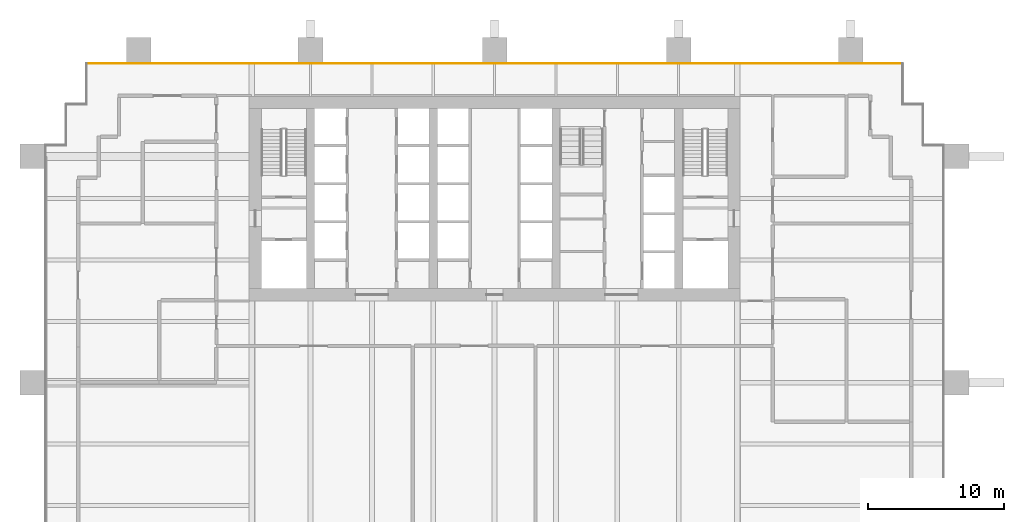
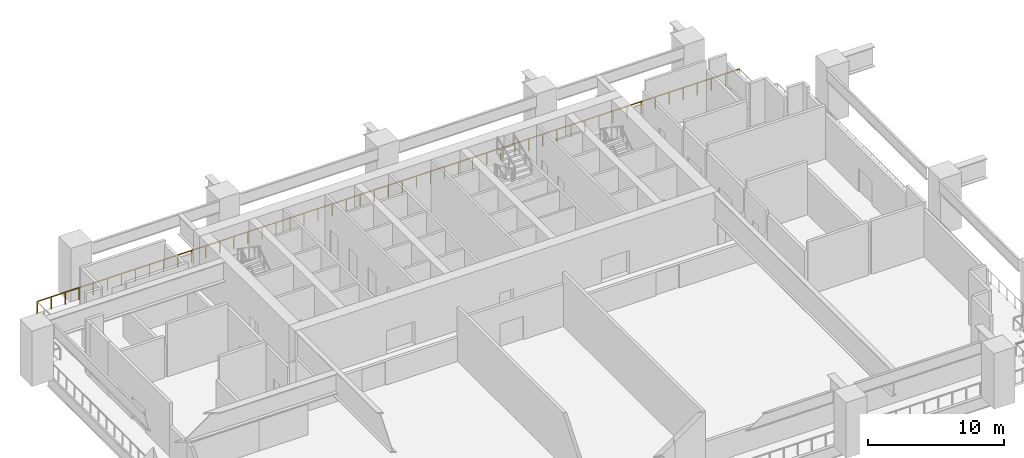
# One storey, part 9 of 11: 1 railing.
"""IFC4 building model written with IfcOpenShell, lengths in metres."""

from ifc_helpers import new_model, si_unit, direction, frame, origin, origin_2d, place, context, subcontext, project, spatial, rectangle, extrude, material, type_object, element, save


model = new_model("IFC4")

# Units and contexts
model_context = context("Model", 3, precision=1e-05, world=origin(), true_north=direction((0.0, 1.0)))
body_context = subcontext(model_context, "Body", "Model", "MODEL_VIEW")
ifc_project = project(units=[si_unit("LENGTHUNIT", "METRE"), si_unit("AREAUNIT", "SQUARE_METRE"), si_unit("VOLUMEUNIT", "CUBIC_METRE"), si_unit("PLANEANGLEUNIT", "RADIAN"), si_unit("MASSUNIT", "GRAM", prefix="KILO")], contexts=[model_context])

# Site, building, storey
site_placement = place(None, origin())
site = spatial("IfcSite", under=ifc_project, at=site_placement, CompositionType="ELEMENT")
building_placement = place(site_placement, origin())
building = spatial("IfcBuilding", under=site, at=building_placement, Name="Rattan Terrace Tower", CompositionType="ELEMENT")
storey_placement = place(building_placement, frame((0.0, 0.0, 69.300048828125)))
storey = spatial("IfcBuildingStorey", under=building, at=storey_placement, Name="L15", CompositionType="ELEMENT", Elevation=69.300048828125)

# Railing
ifc_material = material(Name="Stainless steel 316", Category="steel")
railing_type = type_object("IfcRailingType", Name="Facade Guard 1100", PredefinedType="GUARDRAIL", material=ifc_material)
railing_placement = place(storey_placement, frame((-29.919921875, 9.919921875, 0.0)))
element("IfcRailing", 1, at=railing_placement, inside=storey, type_object=railing_type, Name="Guard L15-11", PredefinedType="GUARDRAIL", context=body_context, shape_type="SweptSolid", body=[
    extrude(rectangle(XDim=0.048095703125, YDim=0.048095703125, at=origin_2d()), frame((0.0, 0.0, 1.076171875), z_axis=(1.0, 0.0, 0.0), x_axis=(0.0, 1.0, 0.0)), (0.0, 0.0, 1.0), 59.83984375),
    extrude(rectangle(XDim=0.0419921875, YDim=0.0419921875, at=origin_2d()), origin(), (0.0, 0.0, 1.0), 1.052001953125),
    extrude(rectangle(XDim=0.0419921875, YDim=0.0419921875, at=origin_2d()), frame((1.19677734375, 0.0, 0.0)), (0.0, 0.0, 1.0), 1.052001953125),
    extrude(rectangle(XDim=0.0419921875, YDim=0.0419921875, at=origin_2d()), frame((2.3935546875, 0.0, 0.0)), (0.0, 0.0, 1.0), 1.052001953125),
    extrude(rectangle(XDim=0.0419921875, YDim=0.0419921875, at=origin_2d()), frame((3.59033203125, 0.0, 0.0)), (0.0, 0.0, 1.0), 1.052001953125),
    extrude(rectangle(XDim=0.0419921875, YDim=0.0419921875, at=origin_2d()), frame((4.787109375, 0.0, 0.0)), (0.0, 0.0, 1.0), 1.052001953125),
    extrude(rectangle(XDim=0.0419921875, YDim=0.0419921875, at=origin_2d()), frame((5.98388671875, 0.0, 0.0)), (0.0, 0.0, 1.0), 1.052001953125),
    extrude(rectangle(XDim=0.0419921875, YDim=0.0419921875, at=origin_2d()), frame((7.1806640625, 0.0, 0.0)), (0.0, 0.0, 1.0), 1.052001953125),
    extrude(rectangle(XDim=0.0419921875, YDim=0.0419921875, at=origin_2d()), frame((8.377685546875, 0.0, 0.0)), (0.0, 0.0, 1.0), 1.052001953125),
    extrude(rectangle(XDim=0.0419921875, YDim=0.0419921875, at=origin_2d()), frame((9.574462890625, 0.0, 0.0)), (0.0, 0.0, 1.0), 1.052001953125),
    extrude(rectangle(XDim=0.0419921875, YDim=0.0419921875, at=origin_2d()), frame((10.771240234375, 0.0, 0.0)), (0.0, 0.0, 1.0), 1.052001953125),
    extrude(rectangle(XDim=0.0419921875, YDim=0.0419921875, at=origin_2d()), frame((11.968017578125, 0.0, 0.0)), (0.0, 0.0, 1.0), 1.052001953125),
    extrude(rectangle(XDim=0.0419921875, YDim=0.0419921875, at=origin_2d()), frame((13.164794921875, 0.0, 0.0)), (0.0, 0.0, 1.0), 1.052001953125),
    extrude(rectangle(XDim=0.0419921875, YDim=0.0419921875, at=origin_2d()), frame((14.361572265625, 0.0, 0.0)), (0.0, 0.0, 1.0), 1.052001953125),
    extrude(rectangle(XDim=0.0419921875, YDim=0.0419921875, at=origin_2d()), frame((15.558349609375, 0.0, 0.0)), (0.0, 0.0, 1.0), 1.052001953125),
    extrude(rectangle(XDim=0.0419921875, YDim=0.0419921875, at=origin_2d()), frame((16.755126953125, 0.0, 0.0)), (0.0, 0.0, 1.0), 1.052001953125),
    extrude(rectangle(XDim=0.0419921875, YDim=0.0419921875, at=origin_2d()), frame((17.951904296875, 0.0, 0.0)), (0.0, 0.0, 1.0), 1.052001953125),
    extrude(rectangle(XDim=0.0419921875, YDim=0.0419921875, at=origin_2d()), frame((19.148681640625, 0.0, 0.0)), (0.0, 0.0, 1.0), 1.052001953125),
    extrude(rectangle(XDim=0.0419921875, YDim=0.0419921875, at=origin_2d()), frame((20.345458984375, 0.0, 0.0)), (0.0, 0.0, 1.0), 1.052001953125),
    extrude(rectangle(XDim=0.0419921875, YDim=0.0419921875, at=origin_2d()), frame((21.542236328125, 0.0, 0.0)), (0.0, 0.0, 1.0), 1.052001953125),
    extrude(rectangle(XDim=0.0419921875, YDim=0.0419921875, at=origin_2d()), frame((22.7392578125, 0.0, 0.0)), (0.0, 0.0, 1.0), 1.052001953125),
    extrude(rectangle(XDim=0.0419921875, YDim=0.0419921875, at=origin_2d()), frame((23.93603515625, 0.0, 0.0)), (0.0, 0.0, 1.0), 1.052001953125),
    extrude(rectangle(XDim=0.0419921875, YDim=0.0419921875, at=origin_2d()), frame((25.1328125, 0.0, 0.0)), (0.0, 0.0, 1.0), 1.052001953125),
    extrude(rectangle(XDim=0.0419921875, YDim=0.0419921875, at=origin_2d()), frame((26.32958984375, 0.0, 0.0)), (0.0, 0.0, 1.0), 1.052001953125),
    extrude(rectangle(XDim=0.0419921875, YDim=0.0419921875, at=origin_2d()), frame((27.5263671875, 0.0, 0.0)), (0.0, 0.0, 1.0), 1.052001953125),
    extrude(rectangle(XDim=0.0419921875, YDim=0.0419921875, at=origin_2d()), frame((28.72314453125, 0.0, 0.0)), (0.0, 0.0, 1.0), 1.052001953125),
    extrude(rectangle(XDim=0.0419921875, YDim=0.0419921875, at=origin_2d()), frame((29.919921875, 0.0, 0.0)), (0.0, 0.0, 1.0), 1.052001953125),
    extrude(rectangle(XDim=0.0419921875, YDim=0.0419921875, at=origin_2d()), frame((31.11669921875, 0.0, 0.0)), (0.0, 0.0, 1.0), 1.052001953125),
    extrude(rectangle(XDim=0.0419921875, YDim=0.0419921875, at=origin_2d()), frame((32.3134765625, 0.0, 0.0)), (0.0, 0.0, 1.0), 1.052001953125),
    extrude(rectangle(XDim=0.0419921875, YDim=0.0419921875, at=origin_2d()), frame((33.51025390625, 0.0, 0.0)), (0.0, 0.0, 1.0), 1.052001953125),
    extrude(rectangle(XDim=0.0419921875, YDim=0.0419921875, at=origin_2d()), frame((34.70703125, 0.0, 0.0)), (0.0, 0.0, 1.0), 1.052001953125),
    extrude(rectangle(XDim=0.0419921875, YDim=0.0419921875, at=origin_2d()), frame((35.90380859375, 0.0, 0.0)), (0.0, 0.0, 1.0), 1.052001953125),
    extrude(rectangle(XDim=0.0419921875, YDim=0.0419921875, at=origin_2d()), frame((37.1005859375, 0.0, 0.0)), (0.0, 0.0, 1.0), 1.052001953125),
    extrude(rectangle(XDim=0.0419921875, YDim=0.0419921875, at=origin_2d()), frame((38.297607421875, 0.0, 0.0)), (0.0, 0.0, 1.0), 1.052001953125),
    extrude(rectangle(XDim=0.0419921875, YDim=0.0419921875, at=origin_2d()), frame((39.494384765625, 0.0, 0.0)), (0.0, 0.0, 1.0), 1.052001953125),
    extrude(rectangle(XDim=0.0419921875, YDim=0.0419921875, at=origin_2d()), frame((40.691162109375, 0.0, 0.0)), (0.0, 0.0, 1.0), 1.052001953125),
    extrude(rectangle(XDim=0.0419921875, YDim=0.0419921875, at=origin_2d()), frame((41.887939453125, 0.0, 0.0)), (0.0, 0.0, 1.0), 1.052001953125),
    extrude(rectangle(XDim=0.0419921875, YDim=0.0419921875, at=origin_2d()), frame((43.084716796875, 0.0, 0.0)), (0.0, 0.0, 1.0), 1.052001953125),
    extrude(rectangle(XDim=0.0419921875, YDim=0.0419921875, at=origin_2d()), frame((44.281494140625, 0.0, 0.0)), (0.0, 0.0, 1.0), 1.052001953125),
    extrude(rectangle(XDim=0.0419921875, YDim=0.0419921875, at=origin_2d()), frame((45.478271484375, 0.0, 0.0)), (0.0, 0.0, 1.0), 1.052001953125),
    extrude(rectangle(XDim=0.0419921875, YDim=0.0419921875, at=origin_2d()), frame((46.675048828125, 0.0, 0.0)), (0.0, 0.0, 1.0), 1.052001953125),
    extrude(rectangle(XDim=0.0419921875, YDim=0.0419921875, at=origin_2d()), frame((47.871826171875, 0.0, 0.0)), (0.0, 0.0, 1.0), 1.052001953125),
    extrude(rectangle(XDim=0.0419921875, YDim=0.0419921875, at=origin_2d()), frame((49.068603515625, 0.0, 0.0)), (0.0, 0.0, 1.0), 1.052001953125),
    extrude(rectangle(XDim=0.0419921875, YDim=0.0419921875, at=origin_2d()), frame((50.265380859375, 0.0, 0.0)), (0.0, 0.0, 1.0), 1.052001953125),
    extrude(rectangle(XDim=0.0419921875, YDim=0.0419921875, at=origin_2d()), frame((51.462158203125, 0.0, 0.0)), (0.0, 0.0, 1.0), 1.052001953125),
    extrude(rectangle(XDim=0.0419921875, YDim=0.0419921875, at=origin_2d()), frame((52.6591796875, 0.0, 0.0)), (0.0, 0.0, 1.0), 1.052001953125),
    extrude(rectangle(XDim=0.0419921875, YDim=0.0419921875, at=origin_2d()), frame((53.85595703125, 0.0, 0.0)), (0.0, 0.0, 1.0), 1.052001953125),
    extrude(rectangle(XDim=0.0419921875, YDim=0.0419921875, at=origin_2d()), frame((55.052734375, 0.0, 0.0)), (0.0, 0.0, 1.0), 1.052001953125),
    extrude(rectangle(XDim=0.0419921875, YDim=0.0419921875, at=origin_2d()), frame((56.24951171875, 0.0, 0.0)), (0.0, 0.0, 1.0), 1.052001953125),
    extrude(rectangle(XDim=0.0419921875, YDim=0.0419921875, at=origin_2d()), frame((57.4462890625, 0.0, 0.0)), (0.0, 0.0, 1.0), 1.052001953125),
    extrude(rectangle(XDim=0.0419921875, YDim=0.0419921875, at=origin_2d()), frame((58.64306640625, 0.0, 0.0)), (0.0, 0.0, 1.0), 1.052001953125),
])

save(model, "model.ifc")
